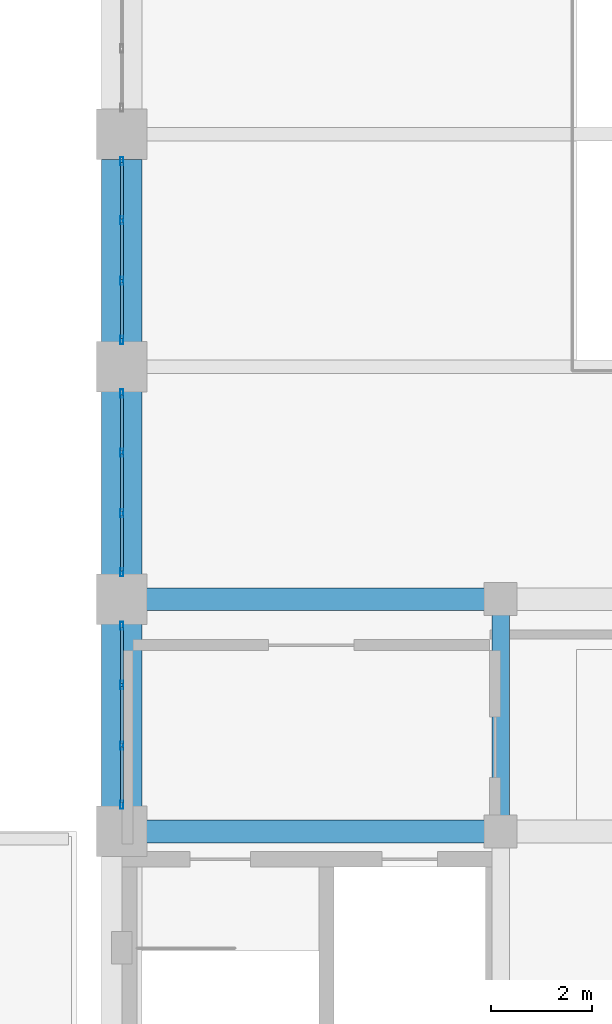
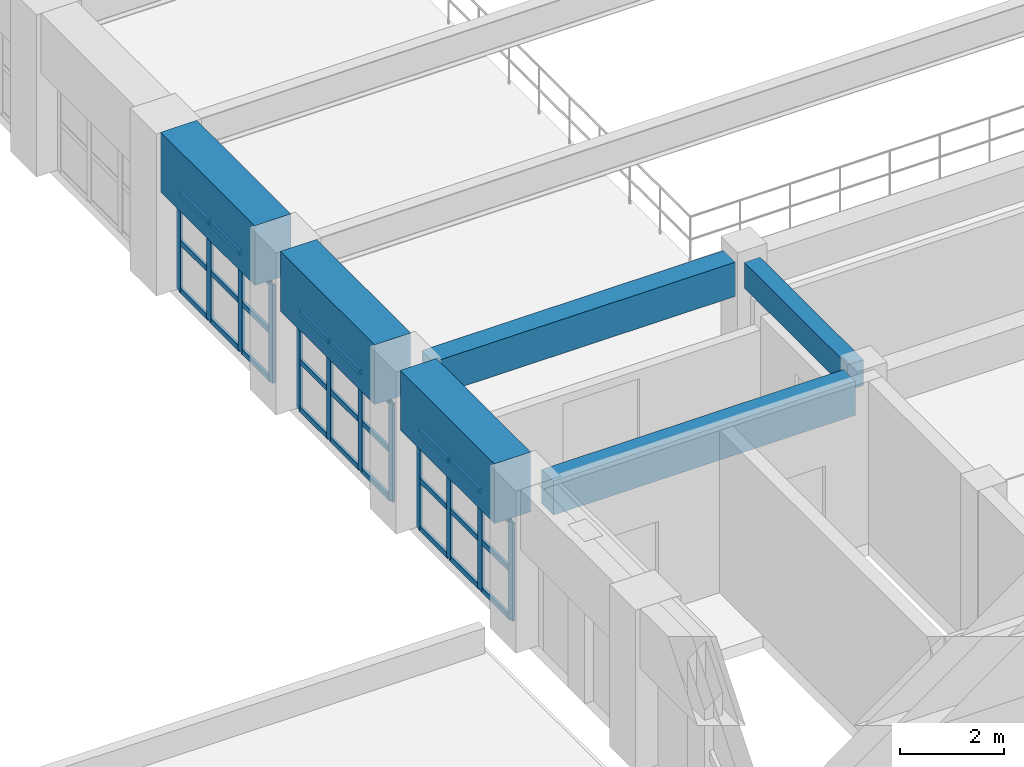
# One storey, part 7 of 74: 39 members, 6 beams, 3 elements without a shape of their own.
"""IFC4 building model written with IfcOpenShell, lengths in metres."""

from ifc_helpers import new_model, si_unit, direction, frame, origin, origin_2d, place, context, subcontext, project, spatial, rectangle, hollow_rectangle, extrude, material, layer, layer_set, material_profile, profile_set, type_object, element, aggregate, save


model = new_model("IFC4")

# Units and contexts
model_context = context("Model", 3, precision=1e-05, world=origin(), true_north=direction((0.0, 1.0)))
body_context = subcontext(model_context, "Body", "Model", "MODEL_VIEW")
ifc_project = project(units=[si_unit("LENGTHUNIT", "METRE"), si_unit("AREAUNIT", "SQUARE_METRE"), si_unit("VOLUMEUNIT", "CUBIC_METRE"), si_unit("PLANEANGLEUNIT", "RADIAN"), si_unit("MASSUNIT", "GRAM", prefix="KILO")], contexts=[model_context])

# Site, building, storey
site_placement = place(None, origin())
site = spatial("IfcSite", under=ifc_project, at=site_placement, CompositionType="ELEMENT")
building_placement = place(site_placement, origin())
building = spatial("IfcBuilding", under=site, at=building_placement, Name="Muzn Square Opera House", CompositionType="ELEMENT")
storey_placement = place(building_placement, frame((0.0, 0.0, 14.199951171875)))
storey = spatial("IfcBuildingStorey", under=building, at=storey_placement, Name="L03", CompositionType="ELEMENT", Elevation=14.199951171875)

# Curtain wall, members
ifc_material_1 = material(Name="Low-E laminated acoustic double glazing", Category="glass")
ifc_layer = layer(ifc_material_1, 0.159912109375, Name="Low-E laminated acoustic double glazing", Category="glass")
ifc_layer_set = layer_set([ifc_layer], Name="Low-E laminated acoustic double glazing")
curtain_wall_type = type_object("IfcCurtainWallType", Name="Glazed Curtain Wall WestVaultCourt 3600x2300", PredefinedType="USERDEFINED", material=ifc_layer_set)
curtain_wall_1_placement = place(storey_placement, origin())
curtain_wall_1 = element("IfcCurtainWall", 1, at=curtain_wall_1_placement, inside=storey, type_object=curtain_wall_type, Name="Glazed Curtain Wall CW-L03-059", ObjectType="GLAZED CURTAIN WALL", PredefinedType="USERDEFINED")
ifc_material_2 = material(Name="Anodised bronze aluminium 6063-T6", Category="metal")
ifc_material_profile_1 = material_profile(ifc_material_2, hollow_rectangle(XDim=0.06005859375, YDim=0.159912109375, WallThickness=0.00390625, at=origin_2d()), Name="ALU 160x60x4", Category="metal")
ifc_profile_set_1 = profile_set([ifc_material_profile_1], Name="Anodised bronze aluminium 6063-T6")
member_type_1 = type_object("IfcMemberType", Name="Curtain Wall Mullion 160x60", PredefinedType="MULLION", material=ifc_profile_set_1)
member_1_placement = place(storey_placement, frame((43.0, 31.72998046875, 0.0), z_axis=(0.0, 0.0, 1.0), x_axis=(-1.0, 0.0, 0.0)))
member_1 = element("IfcMember", 2, at=member_1_placement, type_object=member_type_1, Name="CW-WVC-36x23 mullion 1", PredefinedType="MULLION", context=body_context, shape_type="SweptSolid", body=[
    extrude(hollow_rectangle(XDim=0.06005859375, YDim=0.159912109375, WallThickness=0.00390625, at=origin_2d()), origin(), (0.0, 0.0, 1.0), 2.300048828125),
])
member_2_placement = place(storey_placement, frame((43.0, 32.89990234375, 0.0), z_axis=(0.0, 0.0, 1.0), x_axis=(-1.0, 0.0, 0.0)))
member_2 = element("IfcMember", 3, at=member_2_placement, type_object=member_type_1, Name="CW-WVC-36x23 mullion 2", PredefinedType="MULLION", context=body_context, shape_type="SweptSolid", body=[
    extrude(hollow_rectangle(XDim=0.06005859375, YDim=0.159912109375, WallThickness=0.00390625, at=origin_2d()), origin(), (0.0, 0.0, 1.0), 2.300048828125),
])
member_3_placement = place(storey_placement, frame((43.0, 34.10009765625, 0.0), z_axis=(0.0, 0.0, 1.0), x_axis=(-1.0, 0.0, 0.0)))
member_3 = element("IfcMember", 4, at=member_3_placement, type_object=member_type_1, Name="CW-WVC-36x23 mullion 3", PredefinedType="MULLION", context=body_context, shape_type="SweptSolid", body=[
    extrude(hollow_rectangle(XDim=0.06005859375, YDim=0.159912109375, WallThickness=0.00390625, at=origin_2d()), origin(), (0.0, 0.0, 1.0), 2.300048828125),
])
member_4_placement = place(storey_placement, frame((43.0, 35.27001953125, 0.0), z_axis=(0.0, 0.0, 1.0), x_axis=(-1.0, 0.0, 0.0)))
member_4 = element("IfcMember", 5, at=member_4_placement, type_object=member_type_1, Name="CW-WVC-36x23 mullion 4", PredefinedType="MULLION", context=body_context, shape_type="SweptSolid", body=[
    extrude(hollow_rectangle(XDim=0.06005859375, YDim=0.159912109375, WallThickness=0.00390625, at=origin_2d()), origin(), (0.0, 0.0, 1.0), 2.300048828125),
])

curtain_wall_2_placement = place(storey_placement, origin())
curtain_wall_2 = element("IfcCurtainWall", 6, at=curtain_wall_2_placement, inside=storey, type_object=curtain_wall_type, Name="Glazed Curtain Wall CW-L03-061", ObjectType="GLAZED CURTAIN WALL", PredefinedType="USERDEFINED")
member_5_placement = place(storey_placement, frame((43.0, 36.330078125, 0.0), z_axis=(0.0, 0.0, 1.0), x_axis=(-1.0, 0.0, 0.0)))
member_5 = element("IfcMember", 7, at=member_5_placement, type_object=member_type_1, Name="CW-WVC-36x23 mullion 1", PredefinedType="MULLION", context=body_context, shape_type="SweptSolid", body=[
    extrude(hollow_rectangle(XDim=0.06005859375, YDim=0.159912109375, WallThickness=0.00390625, at=origin_2d()), origin(), (0.0, 0.0, 1.0), 2.300048828125),
])
member_6_placement = place(storey_placement, frame((43.0, 37.5, 0.0), z_axis=(0.0, 0.0, 1.0), x_axis=(-1.0, 0.0, 0.0)))
member_6 = element("IfcMember", 8, at=member_6_placement, type_object=member_type_1, Name="CW-WVC-36x23 mullion 2", PredefinedType="MULLION", context=body_context, shape_type="SweptSolid", body=[
    extrude(hollow_rectangle(XDim=0.06005859375, YDim=0.159912109375, WallThickness=0.00390625, at=origin_2d()), origin(), (0.0, 0.0, 1.0), 2.300048828125),
])
member_7_placement = place(storey_placement, frame((43.0, 38.699951171875, 0.0), z_axis=(0.0, 0.0, 1.0), x_axis=(-1.0, 0.0, 0.0)))
member_7 = element("IfcMember", 9, at=member_7_placement, type_object=member_type_1, Name="CW-WVC-36x23 mullion 3", PredefinedType="MULLION", context=body_context, shape_type="SweptSolid", body=[
    extrude(hollow_rectangle(XDim=0.06005859375, YDim=0.159912109375, WallThickness=0.00390625, at=origin_2d()), origin(), (0.0, 0.0, 1.0), 2.300048828125),
])
member_8_placement = place(storey_placement, frame((43.0, 39.8701171875, 0.0), z_axis=(0.0, 0.0, 1.0), x_axis=(-1.0, 0.0, 0.0)))
member_8 = element("IfcMember", 10, at=member_8_placement, type_object=member_type_1, Name="CW-WVC-36x23 mullion 4", PredefinedType="MULLION", context=body_context, shape_type="SweptSolid", body=[
    extrude(hollow_rectangle(XDim=0.06005859375, YDim=0.159912109375, WallThickness=0.00390625, at=origin_2d()), origin(), (0.0, 0.0, 1.0), 2.300048828125),
])

curtain_wall_3_placement = place(storey_placement, origin())
curtain_wall_3 = element("IfcCurtainWall", 11, at=curtain_wall_3_placement, inside=storey, type_object=curtain_wall_type, Name="Glazed Curtain Wall CW-L03-063", ObjectType="GLAZED CURTAIN WALL", PredefinedType="USERDEFINED")
member_9_placement = place(storey_placement, frame((43.0, 40.929931640625, 0.0), z_axis=(0.0, 0.0, 1.0), x_axis=(-1.0, 0.0, 0.0)))
member_9 = element("IfcMember", 12, at=member_9_placement, type_object=member_type_1, Name="CW-WVC-36x23 mullion 1", PredefinedType="MULLION", context=body_context, shape_type="SweptSolid", body=[
    extrude(hollow_rectangle(XDim=0.06005859375, YDim=0.159912109375, WallThickness=0.00390625, at=origin_2d()), origin(), (0.0, 0.0, 1.0), 2.300048828125),
])
member_10_placement = place(storey_placement, frame((43.0, 42.10009765625, 0.0), z_axis=(0.0, 0.0, 1.0), x_axis=(-1.0, 0.0, 0.0)))
member_10 = element("IfcMember", 13, at=member_10_placement, type_object=member_type_1, Name="CW-WVC-36x23 mullion 2", PredefinedType="MULLION", context=body_context, shape_type="SweptSolid", body=[
    extrude(hollow_rectangle(XDim=0.06005859375, YDim=0.159912109375, WallThickness=0.00390625, at=origin_2d()), origin(), (0.0, 0.0, 1.0), 2.300048828125),
])
member_11_placement = place(storey_placement, frame((43.0, 43.300048828125, 0.0), z_axis=(0.0, 0.0, 1.0), x_axis=(-1.0, 0.0, 0.0)))
member_11 = element("IfcMember", 14, at=member_11_placement, type_object=member_type_1, Name="CW-WVC-36x23 mullion 3", PredefinedType="MULLION", context=body_context, shape_type="SweptSolid", body=[
    extrude(hollow_rectangle(XDim=0.06005859375, YDim=0.159912109375, WallThickness=0.00390625, at=origin_2d()), origin(), (0.0, 0.0, 1.0), 2.300048828125),
])
member_12_placement = place(storey_placement, frame((43.0, 44.469970703125, 0.0), z_axis=(0.0, 0.0, 1.0), x_axis=(-1.0, 0.0, 0.0)))
member_12 = element("IfcMember", 15, at=member_12_placement, type_object=member_type_1, Name="CW-WVC-36x23 mullion 4", PredefinedType="MULLION", context=body_context, shape_type="SweptSolid", body=[
    extrude(hollow_rectangle(XDim=0.06005859375, YDim=0.159912109375, WallThickness=0.00390625, at=origin_2d()), origin(), (0.0, 0.0, 1.0), 2.300048828125),
])

# Member
ifc_material_profile_2 = material_profile(ifc_material_2, hollow_rectangle(XDim=0.06005859375, YDim=0.1201171875, WallThickness=0.00390625, at=origin_2d()), Name="ALU 120x60x4", Category="metal")
ifc_profile_set_2 = profile_set([ifc_material_profile_2], Name="Anodised bronze aluminium 6063-T6")
member_type_2 = type_object("IfcMemberType", Name="Curtain Wall Transom 120x60", PredefinedType="USERDEFINED", material=ifc_profile_set_2)
member_13_placement = place(storey_placement, frame((43.0, 31.760009765625, 0.030029296875), z_axis=(0.0, 1.0, 0.0), x_axis=(-1.0, 0.0, 0.0)))
member_13 = element("IfcMember", 16, at=member_13_placement, type_object=member_type_2, Name="CW-WVC-36x23 transom 1.1", ObjectType="TRANSOM", PredefinedType="USERDEFINED", context=body_context, shape_type="SweptSolid", body=[
    extrude(hollow_rectangle(XDim=0.06005859375, YDim=0.1201171875, WallThickness=0.00390625, at=origin_2d()), origin(), (0.0, 0.0, 1.0), 1.110107421875),
])

member_14_placement = place(storey_placement, frame((43.0, 31.760009765625, 1.150146484375), z_axis=(0.0, 1.0, 0.0), x_axis=(-1.0, 0.0, 0.0)))
member_14 = element("IfcMember", 17, at=member_14_placement, type_object=member_type_2, Name="CW-WVC-36x23 transom 1.2", ObjectType="TRANSOM", PredefinedType="USERDEFINED", context=body_context, shape_type="SweptSolid", body=[
    extrude(hollow_rectangle(XDim=0.06005859375, YDim=0.1201171875, WallThickness=0.00390625, at=origin_2d()), origin(), (0.0, 0.0, 1.0), 1.110107421875),
])

member_15_placement = place(storey_placement, frame((43.0, 31.760009765625, 2.27001953125), z_axis=(0.0, 1.0, 0.0), x_axis=(-1.0, 0.0, 0.0)))
member_15 = element("IfcMember", 18, at=member_15_placement, type_object=member_type_2, Name="CW-WVC-36x23 transom 1.3", ObjectType="TRANSOM", PredefinedType="USERDEFINED", context=body_context, shape_type="SweptSolid", body=[
    extrude(hollow_rectangle(XDim=0.06005859375, YDim=0.1201171875, WallThickness=0.00390625, at=origin_2d()), origin(), (0.0, 0.0, 1.0), 1.110107421875),
])

member_16_placement = place(storey_placement, frame((43.0, 32.929931640625, 0.030029296875), z_axis=(0.0, 1.0, 0.0), x_axis=(-1.0, 0.0, 0.0)))
member_16 = element("IfcMember", 19, at=member_16_placement, type_object=member_type_2, Name="CW-WVC-36x23 transom 2.1", ObjectType="TRANSOM", PredefinedType="USERDEFINED", context=body_context, shape_type="SweptSolid", body=[
    extrude(hollow_rectangle(XDim=0.06005859375, YDim=0.1201171875, WallThickness=0.00390625, at=origin_2d()), origin(), (0.0, 0.0, 1.0), 1.14013671875),
])

member_17_placement = place(storey_placement, frame((43.0, 32.929931640625, 1.150146484375), z_axis=(0.0, 1.0, 0.0), x_axis=(-1.0, 0.0, 0.0)))
member_17 = element("IfcMember", 20, at=member_17_placement, type_object=member_type_2, Name="CW-WVC-36x23 transom 2.2", ObjectType="TRANSOM", PredefinedType="USERDEFINED", context=body_context, shape_type="SweptSolid", body=[
    extrude(hollow_rectangle(XDim=0.06005859375, YDim=0.1201171875, WallThickness=0.00390625, at=origin_2d()), origin(), (0.0, 0.0, 1.0), 1.14013671875),
])

member_18_placement = place(storey_placement, frame((43.0, 32.929931640625, 2.27001953125), z_axis=(0.0, 1.0, 0.0), x_axis=(-1.0, 0.0, 0.0)))
member_18 = element("IfcMember", 21, at=member_18_placement, type_object=member_type_2, Name="CW-WVC-36x23 transom 2.3", ObjectType="TRANSOM", PredefinedType="USERDEFINED", context=body_context, shape_type="SweptSolid", body=[
    extrude(hollow_rectangle(XDim=0.06005859375, YDim=0.1201171875, WallThickness=0.00390625, at=origin_2d()), origin(), (0.0, 0.0, 1.0), 1.14013671875),
])

member_19_placement = place(storey_placement, frame((43.0, 34.1298828125, 0.030029296875), z_axis=(0.0, 1.0, 0.0), x_axis=(-1.0, 0.0, 0.0)))
member_19 = element("IfcMember", 22, at=member_19_placement, type_object=member_type_2, Name="CW-WVC-36x23 transom 3.1", ObjectType="TRANSOM", PredefinedType="USERDEFINED", context=body_context, shape_type="SweptSolid", body=[
    extrude(hollow_rectangle(XDim=0.06005859375, YDim=0.1201171875, WallThickness=0.00390625, at=origin_2d()), origin(), (0.0, 0.0, 1.0), 1.110107421875),
])

member_20_placement = place(storey_placement, frame((43.0, 34.1298828125, 1.150146484375), z_axis=(0.0, 1.0, 0.0), x_axis=(-1.0, 0.0, 0.0)))
member_20 = element("IfcMember", 23, at=member_20_placement, type_object=member_type_2, Name="CW-WVC-36x23 transom 3.2", ObjectType="TRANSOM", PredefinedType="USERDEFINED", context=body_context, shape_type="SweptSolid", body=[
    extrude(hollow_rectangle(XDim=0.06005859375, YDim=0.1201171875, WallThickness=0.00390625, at=origin_2d()), origin(), (0.0, 0.0, 1.0), 1.110107421875),
])

member_21_placement = place(storey_placement, frame((43.0, 34.1298828125, 2.27001953125), z_axis=(0.0, 1.0, 0.0), x_axis=(-1.0, 0.0, 0.0)))
member_21 = element("IfcMember", 24, at=member_21_placement, type_object=member_type_2, Name="CW-WVC-36x23 transom 3.3", ObjectType="TRANSOM", PredefinedType="USERDEFINED", context=body_context, shape_type="SweptSolid", body=[
    extrude(hollow_rectangle(XDim=0.06005859375, YDim=0.1201171875, WallThickness=0.00390625, at=origin_2d()), origin(), (0.0, 0.0, 1.0), 1.110107421875),
])

aggregate(curtain_wall_1, [member_1, member_2, member_3, member_4, member_13, member_14, member_15, member_16, member_17, member_18, member_19, member_20, member_21])

member_22_placement = place(storey_placement, frame((43.0, 36.360107421875, 0.030029296875), z_axis=(0.0, 1.0, 0.0), x_axis=(-1.0, 0.0, 0.0)))
member_22 = element("IfcMember", 25, at=member_22_placement, type_object=member_type_2, Name="CW-WVC-36x23 transom 1.1", ObjectType="TRANSOM", PredefinedType="USERDEFINED", context=body_context, shape_type="SweptSolid", body=[
    extrude(hollow_rectangle(XDim=0.06005859375, YDim=0.1201171875, WallThickness=0.00390625, at=origin_2d()), origin(), (0.0, 0.0, 1.0), 1.10986328125),
])

member_23_placement = place(storey_placement, frame((43.0, 36.360107421875, 1.150146484375), z_axis=(0.0, 1.0, 0.0), x_axis=(-1.0, 0.0, 0.0)))
member_23 = element("IfcMember", 26, at=member_23_placement, type_object=member_type_2, Name="CW-WVC-36x23 transom 1.2", ObjectType="TRANSOM", PredefinedType="USERDEFINED", context=body_context, shape_type="SweptSolid", body=[
    extrude(hollow_rectangle(XDim=0.06005859375, YDim=0.1201171875, WallThickness=0.00390625, at=origin_2d()), origin(), (0.0, 0.0, 1.0), 1.10986328125),
])

member_24_placement = place(storey_placement, frame((43.0, 36.360107421875, 2.27001953125), z_axis=(0.0, 1.0, 0.0), x_axis=(-1.0, 0.0, 0.0)))
member_24 = element("IfcMember", 27, at=member_24_placement, type_object=member_type_2, Name="CW-WVC-36x23 transom 1.3", ObjectType="TRANSOM", PredefinedType="USERDEFINED", context=body_context, shape_type="SweptSolid", body=[
    extrude(hollow_rectangle(XDim=0.06005859375, YDim=0.1201171875, WallThickness=0.00390625, at=origin_2d()), origin(), (0.0, 0.0, 1.0), 1.10986328125),
])

member_25_placement = place(storey_placement, frame((43.0, 37.530029296875, 0.030029296875), z_axis=(0.0, 1.0, 0.0), x_axis=(-1.0, 0.0, 0.0)))
member_25 = element("IfcMember", 28, at=member_25_placement, type_object=member_type_2, Name="CW-WVC-36x23 transom 2.1", ObjectType="TRANSOM", PredefinedType="USERDEFINED", context=body_context, shape_type="SweptSolid", body=[
    extrude(hollow_rectangle(XDim=0.06005859375, YDim=0.1201171875, WallThickness=0.00390625, at=origin_2d()), origin(), (0.0, 0.0, 1.0), 1.139892578125),
])

member_26_placement = place(storey_placement, frame((43.0, 37.530029296875, 1.150146484375), z_axis=(0.0, 1.0, 0.0), x_axis=(-1.0, 0.0, 0.0)))
member_26 = element("IfcMember", 29, at=member_26_placement, type_object=member_type_2, Name="CW-WVC-36x23 transom 2.2", ObjectType="TRANSOM", PredefinedType="USERDEFINED", context=body_context, shape_type="SweptSolid", body=[
    extrude(hollow_rectangle(XDim=0.06005859375, YDim=0.1201171875, WallThickness=0.00390625, at=origin_2d()), origin(), (0.0, 0.0, 1.0), 1.139892578125),
])

member_27_placement = place(storey_placement, frame((43.0, 37.530029296875, 2.27001953125), z_axis=(0.0, 1.0, 0.0), x_axis=(-1.0, 0.0, 0.0)))
member_27 = element("IfcMember", 30, at=member_27_placement, type_object=member_type_2, Name="CW-WVC-36x23 transom 2.3", ObjectType="TRANSOM", PredefinedType="USERDEFINED", context=body_context, shape_type="SweptSolid", body=[
    extrude(hollow_rectangle(XDim=0.06005859375, YDim=0.1201171875, WallThickness=0.00390625, at=origin_2d()), origin(), (0.0, 0.0, 1.0), 1.139892578125),
])

member_28_placement = place(storey_placement, frame((43.0, 38.72998046875, 0.030029296875), z_axis=(0.0, 1.0, 0.0), x_axis=(-1.0, 0.0, 0.0)))
member_28 = element("IfcMember", 31, at=member_28_placement, type_object=member_type_2, Name="CW-WVC-36x23 transom 3.1", ObjectType="TRANSOM", PredefinedType="USERDEFINED", context=body_context, shape_type="SweptSolid", body=[
    extrude(hollow_rectangle(XDim=0.06005859375, YDim=0.1201171875, WallThickness=0.00390625, at=origin_2d()), origin(), (0.0, 0.0, 1.0), 1.110107421875),
])

member_29_placement = place(storey_placement, frame((43.0, 38.72998046875, 1.150146484375), z_axis=(0.0, 1.0, 0.0), x_axis=(-1.0, 0.0, 0.0)))
member_29 = element("IfcMember", 32, at=member_29_placement, type_object=member_type_2, Name="CW-WVC-36x23 transom 3.2", ObjectType="TRANSOM", PredefinedType="USERDEFINED", context=body_context, shape_type="SweptSolid", body=[
    extrude(hollow_rectangle(XDim=0.06005859375, YDim=0.1201171875, WallThickness=0.00390625, at=origin_2d()), origin(), (0.0, 0.0, 1.0), 1.110107421875),
])

member_30_placement = place(storey_placement, frame((43.0, 38.72998046875, 2.27001953125), z_axis=(0.0, 1.0, 0.0), x_axis=(-1.0, 0.0, 0.0)))
member_30 = element("IfcMember", 33, at=member_30_placement, type_object=member_type_2, Name="CW-WVC-36x23 transom 3.3", ObjectType="TRANSOM", PredefinedType="USERDEFINED", context=body_context, shape_type="SweptSolid", body=[
    extrude(hollow_rectangle(XDim=0.06005859375, YDim=0.1201171875, WallThickness=0.00390625, at=origin_2d()), origin(), (0.0, 0.0, 1.0), 1.110107421875),
])

aggregate(curtain_wall_2, [member_5, member_6, member_7, member_8, member_22, member_23, member_24, member_25, member_26, member_27, member_28, member_29, member_30])

member_31_placement = place(storey_placement, frame((43.0, 40.9599609375, 0.030029296875), z_axis=(0.0, 1.0, 0.0), x_axis=(-1.0, 0.0, 0.0)))
member_31 = element("IfcMember", 34, at=member_31_placement, type_object=member_type_2, Name="CW-WVC-36x23 transom 1.1", ObjectType="TRANSOM", PredefinedType="USERDEFINED", context=body_context, shape_type="SweptSolid", body=[
    extrude(hollow_rectangle(XDim=0.06005859375, YDim=0.1201171875, WallThickness=0.00390625, at=origin_2d()), origin(), (0.0, 0.0, 1.0), 1.110107421875),
])

member_32_placement = place(storey_placement, frame((43.0, 40.9599609375, 1.150146484375), z_axis=(0.0, 1.0, 0.0), x_axis=(-1.0, 0.0, 0.0)))
member_32 = element("IfcMember", 35, at=member_32_placement, type_object=member_type_2, Name="CW-WVC-36x23 transom 1.2", ObjectType="TRANSOM", PredefinedType="USERDEFINED", context=body_context, shape_type="SweptSolid", body=[
    extrude(hollow_rectangle(XDim=0.06005859375, YDim=0.1201171875, WallThickness=0.00390625, at=origin_2d()), origin(), (0.0, 0.0, 1.0), 1.110107421875),
])

member_33_placement = place(storey_placement, frame((43.0, 40.9599609375, 2.27001953125), z_axis=(0.0, 1.0, 0.0), x_axis=(-1.0, 0.0, 0.0)))
member_33 = element("IfcMember", 36, at=member_33_placement, type_object=member_type_2, Name="CW-WVC-36x23 transom 1.3", ObjectType="TRANSOM", PredefinedType="USERDEFINED", context=body_context, shape_type="SweptSolid", body=[
    extrude(hollow_rectangle(XDim=0.06005859375, YDim=0.1201171875, WallThickness=0.00390625, at=origin_2d()), origin(), (0.0, 0.0, 1.0), 1.110107421875),
])

member_34_placement = place(storey_placement, frame((43.0, 42.1298828125, 0.030029296875), z_axis=(0.0, 1.0, 0.0), x_axis=(-1.0, 0.0, 0.0)))
member_34 = element("IfcMember", 37, at=member_34_placement, type_object=member_type_2, Name="CW-WVC-36x23 transom 2.1", ObjectType="TRANSOM", PredefinedType="USERDEFINED", context=body_context, shape_type="SweptSolid", body=[
    extrude(hollow_rectangle(XDim=0.06005859375, YDim=0.1201171875, WallThickness=0.00390625, at=origin_2d()), origin(), (0.0, 0.0, 1.0), 1.14013671875),
])

member_35_placement = place(storey_placement, frame((43.0, 42.1298828125, 1.150146484375), z_axis=(0.0, 1.0, 0.0), x_axis=(-1.0, 0.0, 0.0)))
member_35 = element("IfcMember", 38, at=member_35_placement, type_object=member_type_2, Name="CW-WVC-36x23 transom 2.2", ObjectType="TRANSOM", PredefinedType="USERDEFINED", context=body_context, shape_type="SweptSolid", body=[
    extrude(hollow_rectangle(XDim=0.06005859375, YDim=0.1201171875, WallThickness=0.00390625, at=origin_2d()), origin(), (0.0, 0.0, 1.0), 1.14013671875),
])

member_36_placement = place(storey_placement, frame((43.0, 42.1298828125, 2.27001953125), z_axis=(0.0, 1.0, 0.0), x_axis=(-1.0, 0.0, 0.0)))
member_36 = element("IfcMember", 39, at=member_36_placement, type_object=member_type_2, Name="CW-WVC-36x23 transom 2.3", ObjectType="TRANSOM", PredefinedType="USERDEFINED", context=body_context, shape_type="SweptSolid", body=[
    extrude(hollow_rectangle(XDim=0.06005859375, YDim=0.1201171875, WallThickness=0.00390625, at=origin_2d()), origin(), (0.0, 0.0, 1.0), 1.14013671875),
])

member_37_placement = place(storey_placement, frame((43.0, 43.330078125, 0.030029296875), z_axis=(0.0, 1.0, 0.0), x_axis=(-1.0, 0.0, 0.0)))
member_37 = element("IfcMember", 40, at=member_37_placement, type_object=member_type_2, Name="CW-WVC-36x23 transom 3.1", ObjectType="TRANSOM", PredefinedType="USERDEFINED", context=body_context, shape_type="SweptSolid", body=[
    extrude(hollow_rectangle(XDim=0.06005859375, YDim=0.1201171875, WallThickness=0.00390625, at=origin_2d()), origin(), (0.0, 0.0, 1.0), 1.10986328125),
])

member_38_placement = place(storey_placement, frame((43.0, 43.330078125, 1.150146484375), z_axis=(0.0, 1.0, 0.0), x_axis=(-1.0, 0.0, 0.0)))
member_38 = element("IfcMember", 41, at=member_38_placement, type_object=member_type_2, Name="CW-WVC-36x23 transom 3.2", ObjectType="TRANSOM", PredefinedType="USERDEFINED", context=body_context, shape_type="SweptSolid", body=[
    extrude(hollow_rectangle(XDim=0.06005859375, YDim=0.1201171875, WallThickness=0.00390625, at=origin_2d()), origin(), (0.0, 0.0, 1.0), 1.10986328125),
])

member_39_placement = place(storey_placement, frame((43.0, 43.330078125, 2.27001953125), z_axis=(0.0, 1.0, 0.0), x_axis=(-1.0, 0.0, 0.0)))
member_39 = element("IfcMember", 42, at=member_39_placement, type_object=member_type_2, Name="CW-WVC-36x23 transom 3.3", ObjectType="TRANSOM", PredefinedType="USERDEFINED", context=body_context, shape_type="SweptSolid", body=[
    extrude(hollow_rectangle(XDim=0.06005859375, YDim=0.1201171875, WallThickness=0.00390625, at=origin_2d()), origin(), (0.0, 0.0, 1.0), 1.10986328125),
])

aggregate(curtain_wall_3, [member_9, member_10, member_11, member_12, member_31, member_32, member_33, member_34, member_35, member_36, member_37, member_38, member_39])

# Beams
ifc_material_3 = material(Name="Concrete C40/50", Category="concrete")
ifc_material_profile_3 = material_profile(ifc_material_3, rectangle(XDim=0.35009765625, YDim=0.60009765625, at=origin_2d()), Name="RCB 350x600", Category="concrete")
ifc_profile_set_3 = profile_set([ifc_material_profile_3], Name="Concrete C40/50")
beam_type_1 = type_object("IfcBeamType", Name="Primary Girder 350x600", PredefinedType="BEAM", material=ifc_profile_set_3)
beam_1_placement = place(storey_placement, frame((50.5, 31.51708984375, 3.219970703125), z_axis=(0.0, 1.0, 0.0), x_axis=(-1.0, 0.0, 0.0)))
element("IfcBeam", 43, at=beam_1_placement, inside=storey, type_object=beam_type_1, Name="Primary Girder BM-L03-BM-PG600-505_315_505_355-2557", PredefinedType="BEAM", context=body_context, shape_type="SweptSolid", body=[
    extrude(rectangle(XDim=0.35009765625, YDim=0.60009765625, at=origin_2d()), origin(), (0.0, 0.0, 1.0), 3.9658203125),
])
ifc_material_profile_4 = material_profile(ifc_material_3, rectangle(XDim=0.449951171875, YDim=0.800048828125, at=origin_2d()), Name="RCB 450x800", Category="concrete")
ifc_profile_set_4 = profile_set([ifc_material_profile_4], Name="Concrete C40/50")
beam_type_2 = type_object("IfcBeamType", Name="Primary Girder 450x800", PredefinedType="BEAM", material=ifc_profile_set_4)
for number, where, z_axis, x_axis, name in (
    (44, (43.491943359375, 31.199951171875, 3.1201171875), (1.0, 0.0, 0.0), (0.0, 1.0, 0.0), "Primary Girder BM-L03-BM-PG800-435_312_502_312-2424"),
    (45, (43.491943359375, 35.800048828125, 3.1201171875), (1.0, 0.0, 0.0), (0.0, 1.0, 0.0), "Primary Girder BM-L03-BM-PG800-435_358_502_358-2433"),
):
    element("IfcBeam", number, at=place(storey_placement, frame(where, z_axis=z_axis, x_axis=x_axis)), inside=storey, type_object=beam_type_2, Name=name, PredefinedType="BEAM", context=body_context, shape_type="SweptSolid", body=[
        extrude(rectangle(XDim=0.449951171875, YDim=0.800048828125, at=origin_2d()), origin(), (0.0, 0.0, 1.0), 6.691162109375),
    ])
ifc_material_4 = material(Name="Concrete C45/55", Category="concrete")
ifc_material_profile_5 = material_profile(ifc_material_4, rectangle(XDim=0.800048828125, YDim=1.39990234375, at=origin_2d()), Name="RCB 800x1400", Category="concrete")
ifc_profile_set_5 = profile_set([ifc_material_profile_5], Name="Concrete C45/55")
beam_type_3 = type_object("IfcBeamType", Name="Vault Springing Girder 800x1400", PredefinedType="BEAM", material=ifc_profile_set_5)
beam_2_placement = place(storey_placement, frame((43.0, 31.69189453125, 3.10009765625), z_axis=(0.0, 1.0, 0.0), x_axis=(-1.0, 0.0, 0.0)))
element("IfcBeam", 46, at=beam_2_placement, inside=storey, type_object=beam_type_3, Name="Vault Springing Girder BM-L03-BM-VS1400-430_317_430_353-2543", PredefinedType="BEAM", context=body_context, shape_type="SweptSolid", body=[
    extrude(rectangle(XDim=0.800048828125, YDim=1.39990234375, at=origin_2d()), origin(), (0.0, 0.0, 1.0), 3.6162109375),
])
for number, where, z_axis, x_axis, name in (
    (47, (43.0, 36.2919921875, 3.10009765625), (0.0, 1.0, 0.0), (-1.0, 0.0, 0.0), "Vault Springing Girder BM-L03-BM-VS1400-430_363_430_399-2544"),
    (48, (43.0, 40.89208984375, 3.10009765625), (0.0, 1.0, 0.0), (-1.0, 0.0, 0.0), "Vault Springing Girder BM-L03-BM-VS1400-430_409_430_445-2545"),
):
    element("IfcBeam", number, at=place(storey_placement, frame(where, z_axis=z_axis, x_axis=x_axis)), inside=storey, type_object=beam_type_3, Name=name, PredefinedType="BEAM", context=body_context, shape_type="SweptSolid", body=[
        extrude(rectangle(XDim=0.800048828125, YDim=1.39990234375, at=origin_2d()), origin(), (0.0, 0.0, 1.0), 3.615966796875),
    ])

save(model, "model.ifc")
